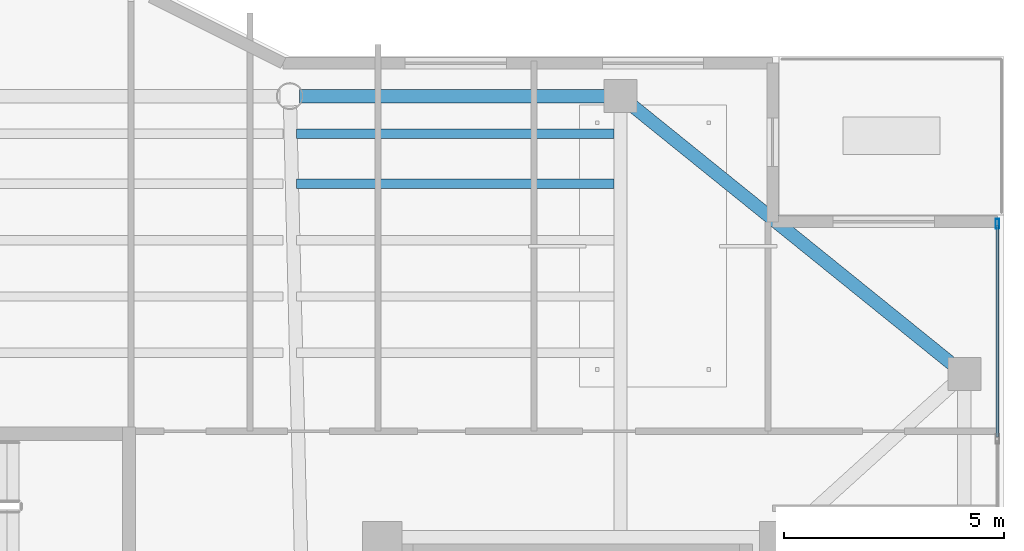
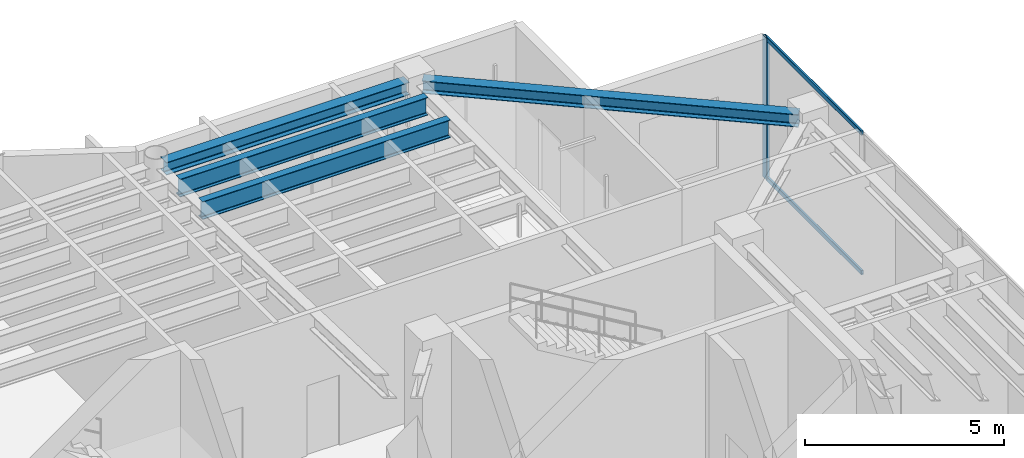
# One storey, part 21 of 34: 4 beams, 3 members, 1 element without a shape of its own.
"""IFC4 building model written with IfcOpenShell, lengths in metres."""

from ifc_helpers import new_model, si_unit, direction, frame, origin, origin_2d, place, context, subcontext, project, spatial, hollow_rectangle, i_section, extrude, material, layer, layer_set, material_profile, profile_set, type_object, element, aggregate, save


model = new_model("IFC4")

# Units and contexts
model_context = context("Model", 3, precision=1e-05, world=origin(), true_north=direction((0.0, 1.0)))
body_context = subcontext(model_context, "Body", "Model", "MODEL_VIEW")
ifc_project = project(units=[si_unit("LENGTHUNIT", "METRE"), si_unit("AREAUNIT", "SQUARE_METRE"), si_unit("VOLUMEUNIT", "CUBIC_METRE"), si_unit("PLANEANGLEUNIT", "RADIAN"), si_unit("MASSUNIT", "GRAM", prefix="KILO")], contexts=[model_context])

# Site, building, storey
site_placement = place(None, origin())
site = spatial("IfcSite", under=ifc_project, at=site_placement, CompositionType="ELEMENT")
building_placement = place(site_placement, origin())
building = spatial("IfcBuilding", under=site, at=building_placement, Name="Tarnavaz Court Tower", CompositionType="ELEMENT")
storey_placement = place(building_placement, frame((0.0, 0.0, 231.75)))
storey = spatial("IfcBuildingStorey", under=building, at=storey_placement, Name="L63", CompositionType="ELEMENT", Elevation=231.75)

# Beams
ifc_material_1 = material(Name="Steel S355", Category="steel")
ifc_material_profile_1 = material_profile(ifc_material_1, i_section(OverallWidth=0.2099609375, OverallDepth=0.550048828125, WebThickness=0.010986328125, FlangeThickness=0.01708984375, FilletRadius=0.02392578125, at=origin_2d()), Name="IPE 550")
ifc_profile_set_1 = profile_set([ifc_material_profile_1], Name="Steel S355")
beam_type_1 = type_object("IfcBeamType", Name="BM-J-IPE550", PredefinedType="JOIST", material=ifc_profile_set_1)
for number, where, z_axis, x_axis, name in (
    (1, (7.64990234375, 18.112060546875, 4.074951171875), (1.0, 0.0, 0.0), (0.0, 1.0, 0.0), "L63 Beam JN4-3"),
    (2, (7.64990234375, 19.248046875, 4.074951171875), (1.0, 0.0, 0.0), (0.0, 1.0, 0.0), "L63 Beam JN5-3"),
):
    element("IfcBeam", number, at=place(storey_placement, frame(where, z_axis=z_axis, x_axis=x_axis)), inside=storey, type_object=beam_type_1, Name=name, PredefinedType="JOIST", context=body_context, shape_type="SweptSolid", body=[
        extrude(i_section(OverallWidth=0.2099609375, OverallDepth=0.550048828125, WebThickness=0.010986328125, FlangeThickness=0.01708984375, FilletRadius=0.02392578125, at=origin_2d()), origin(), (0.0, 0.0, 1.0), 7.2001953125),
    ])
ifc_material_profile_2 = material_profile(ifc_material_1, i_section(OverallWidth=0.300048828125, OverallDepth=0.389892578125, WebThickness=0.010986328125, FlangeThickness=0.01904296875, FilletRadius=0.027099609375, at=origin_2d()), Name="HEA 400")
ifc_profile_set_2 = profile_set([ifc_material_profile_2], Name="Steel S355")
beam_type_2 = type_object("IfcBeamType", Name="BM-SP-HEA400", PredefinedType="BEAM", material=ifc_profile_set_2)
beam_1_placement = place(storey_placement, frame((7.719970703125, 20.10009765625, 4.155029296875), z_axis=(1.0, 0.0, 0.0), x_axis=(0.0, 1.0, 0.0)))
element("IfcBeam", 3, at=beam_1_placement, inside=storey, type_object=beam_type_2, Name="L63 Beam PR-PN-3-PN-4", PredefinedType="BEAM", context=body_context, shape_type="SweptSolid", body=[
    extrude(i_section(OverallWidth=0.300048828125, OverallDepth=0.389892578125, WebThickness=0.010986328125, FlangeThickness=0.01904296875, FilletRadius=0.027099609375, at=origin_2d()), origin(), (0.0, 0.0, 1.0), 7.06005859375),
])
beam_2_placement = place(storey_placement, frame((15.171142578125, 19.9619140625, 4.155029296875), z_axis=(0.777935913531, -0.628343627674, 0.0), x_axis=(0.628343627674, 0.777935913531, 0.0)))
element("IfcBeam", 4, at=beam_2_placement, inside=storey, type_object=beam_type_2, Name="L63 Beam PR-PN-4-PE-4", PredefinedType="BEAM", context=body_context, shape_type="SweptSolid", body=[
    extrude(i_section(OverallWidth=0.300048828125, OverallDepth=0.389892578125, WebThickness=0.010986328125, FlangeThickness=0.01904296875, FilletRadius=0.027099609375, at=origin_2d()), origin(), (0.0, 0.0, 1.0), 9.586669921875),
])

# Curtain wall, members
ifc_material_2 = material(Name="Anodised Aluminium 6063-T6 and Solar Low-E Glazing", Category="aluminium")
ifc_layer = layer(ifc_material_2, 0.199951171875)
ifc_layer_set = layer_set([ifc_layer], Name="Anodised Aluminium 6063-T6 and Solar Low-E Glazing")
curtain_wall_type = type_object("IfcCurtainWallType", Name="CW-SYS-05", PredefinedType="NOTDEFINED", material=ifc_layer_set)
curtain_wall_placement = place(storey_placement, origin())
curtain_wall = element("IfcCurtainWall", 5, at=curtain_wall_placement, inside=storey, type_object=curtain_wall_type, Name="L63 Sky-Portal Curtain Wall 12", PredefinedType="NOTDEFINED")
ifc_material_3 = material(Name="Anodised Aluminium 6063-T6", Category="aluminium")
ifc_material_profile_3 = material_profile(ifc_material_3, hollow_rectangle(XDim=0.0849609375, YDim=0.219970703125, WallThickness=0.006103515625, InnerFilletRadius=0.006103515625, OuterFilletRadius=0.011962890625, at=origin_2d()), Name="ALU RHS 220X85X6")
ifc_profile_set_3 = profile_set([ifc_material_profile_3], Name="Anodised Aluminium 6063-T6")
member_type_1 = type_object("IfcMemberType", Name="CW-MUL-220", PredefinedType="MULLION", material=ifc_profile_set_3)
member_1_placement = place(storey_placement, frame((23.550048828125, 17.20751953125, 0.0), z_axis=(0.0, 0.0, 1.0), x_axis=(1.0, 0.0, 0.0)))
member_1 = element("IfcMember", 6, at=member_1_placement, type_object=member_type_1, Name="CW mullion 1", PredefinedType="MULLION", context=body_context, shape_type="SweptSolid", body=[
    extrude(hollow_rectangle(XDim=0.0849609375, YDim=0.219970703125, WallThickness=0.006103515625, InnerFilletRadius=0.006103515625, OuterFilletRadius=0.011962890625, at=origin_2d()), origin(), (0.0, 0.0, 1.0), 4.35009765625),
])
ifc_material_profile_4 = material_profile(ifc_material_3, hollow_rectangle(XDim=0.06494140625, YDim=0.139892578125, WallThickness=0.00390625, InnerFilletRadius=0.00390625, OuterFilletRadius=0.008056640625, at=origin_2d()), Name="ALU RHS 140X65X4")
ifc_profile_set_4 = profile_set([ifc_material_profile_4], Name="Anodised Aluminium 6063-T6")
member_type_2 = type_object("IfcMemberType", Name="CW-TRN-140", PredefinedType="USERDEFINED", material=ifc_profile_set_4)
member_2_placement = place(storey_placement, frame((23.550048828125, 17.1650390625, 0.032470703125), z_axis=(0.0, -1.0, 0.0), x_axis=(1.0, 0.0, 0.0)))
member_2 = element("IfcMember", 7, at=member_2_placement, type_object=member_type_2, Name="CW transom 1.1", ObjectType="TRANSOM", PredefinedType="USERDEFINED", context=body_context, shape_type="SweptSolid", body=[
    extrude(hollow_rectangle(XDim=0.06494140625, YDim=0.139892578125, WallThickness=0.00390625, InnerFilletRadius=0.00390625, OuterFilletRadius=0.008056640625, at=origin_2d()), origin(), (0.0, 0.0, 1.0), 4.801025390625),
])
member_3_placement = place(storey_placement, frame((23.550048828125, 17.1650390625, 4.3173828125), z_axis=(0.0, -1.0, 0.0), x_axis=(1.0, 0.0, 0.0)))
member_3 = element("IfcMember", 8, at=member_3_placement, type_object=member_type_2, Name="CW transom 1.2", ObjectType="TRANSOM", PredefinedType="USERDEFINED", context=body_context, shape_type="SweptSolid", body=[
    extrude(hollow_rectangle(XDim=0.06494140625, YDim=0.139892578125, WallThickness=0.00390625, InnerFilletRadius=0.00390625, OuterFilletRadius=0.008056640625, at=origin_2d()), origin(), (0.0, 0.0, 1.0), 4.801025390625),
])
aggregate(curtain_wall, [member_1, member_2, member_3])

save(model, "model.ifc")
